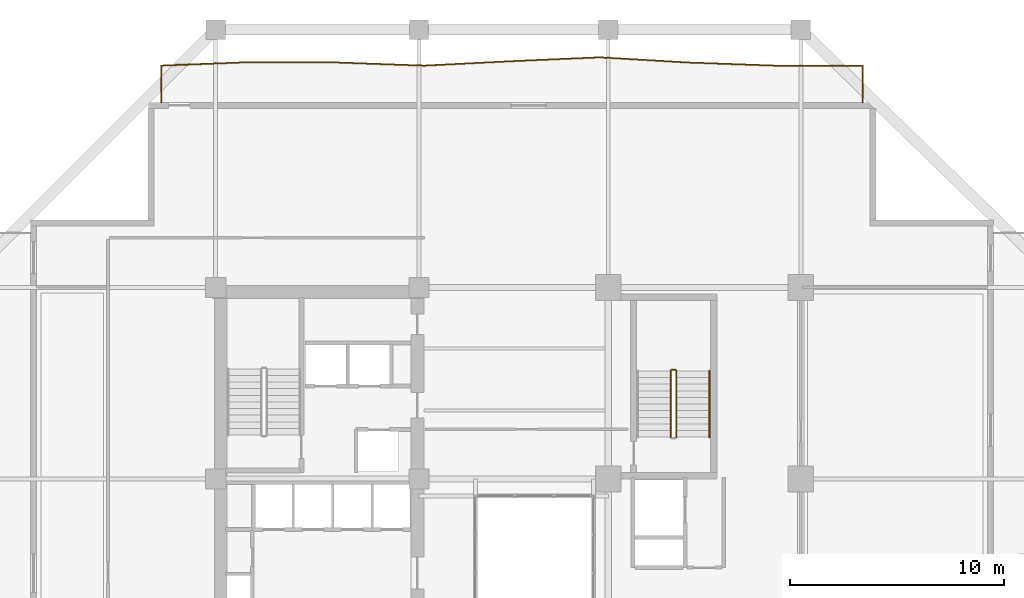
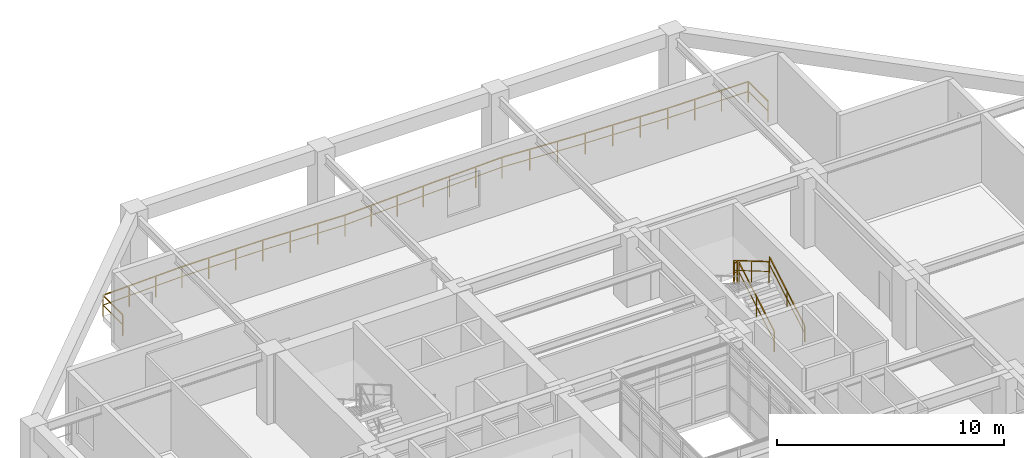
# One storey, part 15 of 17: 5 railings.
"""IFC4 building model written with IfcOpenShell, lengths in metres."""

from ifc_helpers import new_model, si_unit, direction, frame, origin, origin_2d, place, context, subcontext, project, spatial, rectangle, extrude, material, type_object, element, save


model = new_model("IFC4")

# Units and contexts
model_context = context("Model", 3, precision=1e-05, world=origin(), true_north=direction((0.0, 1.0)))
body_context = subcontext(model_context, "Body", "Model", "MODEL_VIEW")
ifc_project = project(units=[si_unit("LENGTHUNIT", "METRE"), si_unit("AREAUNIT", "SQUARE_METRE"), si_unit("VOLUMEUNIT", "CUBIC_METRE"), si_unit("PLANEANGLEUNIT", "RADIAN"), si_unit("MASSUNIT", "GRAM", prefix="KILO")], contexts=[model_context])

# Site, building, storey
site_placement = place(None, origin())
site = spatial("IfcSite", under=ifc_project, at=site_placement, CompositionType="ELEMENT")
building_placement = place(site_placement, origin())
building = spatial("IfcBuilding", under=site, at=building_placement, Name="Kundavana Baori Tower", CompositionType="ELEMENT")
storey_placement = place(building_placement, frame((0.0, 0.0, 30.0)))
storey = spatial("IfcBuildingStorey", under=building, at=storey_placement, Name="L06", CompositionType="ELEMENT", Elevation=30.0)

# Railings
ifc_material_1 = material(Name="Architectural Patinated Bronze Metalwork")
railing_type_1 = type_object("IfcRailingType", Name="RL-BAL-1150", PredefinedType="BALUSTRADE", material=ifc_material_1)
railing_1_placement = place(storey_placement, frame((12.89990234375, 50.60009765625, 0.0)))
element("IfcRailing", 1, at=railing_1_placement, inside=storey, type_object=railing_type_1, Name="L06 Loggia Balcony Balustrade N", PredefinedType="BALUSTRADE", context=body_context, shape_type="SweptSolid", body=[
    extrude(rectangle(XDim=0.048095703125, YDim=0.048095703125, at=origin_2d()), frame((0.0, 0.0, 1.1259765625), z_axis=(0.0, 1.0, 0.0), x_axis=(-1.0, 0.0, 0.0)), (0.0, 0.0, 1.0), 1.719970703125),
    extrude(rectangle(XDim=0.03125, YDim=0.03125, at=origin_2d()), frame((0.0, 0.0, 0.597900390625), z_axis=(0.0, 1.0, 0.0), x_axis=(-1.0, 0.0, 0.0)), (0.0, 0.0, 1.0), 1.719970703125),
    extrude(rectangle(XDim=0.048095703125, YDim=0.048095703125, at=origin_2d()), frame((0.0, 1.719970703125, 1.1259765625), z_axis=(0.999230991135, 0.03921002877, 0.0), x_axis=(-0.03921002877, 0.999230991135, 0.0)), (0.0, 0.0, 1.0), 4.103271484375),
    extrude(rectangle(XDim=0.03125, YDim=0.03125, at=origin_2d()), frame((0.0, 1.719970703125, 0.597900390625), z_axis=(0.999230991135, 0.03921002877, 0.0), x_axis=(-0.03921002877, 0.999230991135, 0.0)), (0.0, 0.0, 1.0), 4.103271484375),
    extrude(rectangle(XDim=0.048095703125, YDim=0.048095703125, at=origin_2d()), frame((4.10009765625, 1.880859375, 1.1259765625), z_axis=(0.999995020219, -0.003155873292, 0.0), x_axis=(0.003155873292, 0.999995020219, 0.0)), (0.0, 0.0, 1.0), 4.10009765625),
    extrude(rectangle(XDim=0.03125, YDim=0.03125, at=origin_2d()), frame((4.10009765625, 1.880859375, 0.597900390625), z_axis=(0.999995020219, -0.003155873292, 0.0), x_axis=(0.003155873292, 0.999995020219, 0.0)), (0.0, 0.0, 1.0), 4.10009765625),
    extrude(rectangle(XDim=0.048095703125, YDim=0.048095703125, at=origin_2d()), frame((8.2001953125, 1.867919921875, 1.1259765625), z_axis=(0.999349518776, -0.036062991031, 0.0), x_axis=(0.036062991031, 0.999349518776, 0.0)), (0.0, 0.0, 1.0), 4.1025390625),
    extrude(rectangle(XDim=0.03125, YDim=0.03125, at=origin_2d()), frame((8.2001953125, 1.867919921875, 0.597900390625), z_axis=(0.999349518776, -0.036062991031, 0.0), x_axis=(0.036062991031, 0.999349518776, 0.0)), (0.0, 0.0, 1.0), 4.1025390625),
    extrude(rectangle(XDim=0.048095703125, YDim=0.048095703125, at=origin_2d()), frame((12.300048828125, 1.719970703125, 1.1259765625), z_axis=(0.998691404315, 0.051141753466, 0.0), x_axis=(-0.051141753466, 0.998691404315, 0.0)), (0.0, 0.0, 1.0), 4.10546875),
    extrude(rectangle(XDim=0.03125, YDim=0.03125, at=origin_2d()), frame((12.300048828125, 1.719970703125, 0.597900390625), z_axis=(0.998691404315, 0.051141753466, 0.0), x_axis=(-0.051141753466, 0.998691404315, 0.0)), (0.0, 0.0, 1.0), 4.10546875),
    extrude(rectangle(XDim=0.048095703125, YDim=0.048095703125, at=origin_2d()), frame((16.400146484375, 1.929931640625, 1.1259765625), z_axis=(0.999059074604, 0.043370098576, 0.0), x_axis=(-0.043370098576, 0.999059074604, 0.0)), (0.0, 0.0, 1.0), 4.103759765625),
    extrude(rectangle(XDim=0.03125, YDim=0.03125, at=origin_2d()), frame((16.400146484375, 1.929931640625, 0.597900390625), z_axis=(0.999059074604, 0.043370098576, 0.0), x_axis=(-0.043370098576, 0.999059074604, 0.0)), (0.0, 0.0, 1.0), 4.103759765625),
    extrude(rectangle(XDim=0.048095703125, YDim=0.048095703125, at=origin_2d()), frame((20.5, 2.10791015625, 1.1259765625), z_axis=(0.99829134437, -0.058432796922, 0.0), x_axis=(0.058432796922, 0.99829134437, 0.0)), (0.0, 0.0, 1.0), 4.107177734375),
    extrude(rectangle(XDim=0.03125, YDim=0.03125, at=origin_2d()), frame((20.5, 2.10791015625, 0.597900390625), z_axis=(0.99829134437, -0.058432796922, 0.0), x_axis=(0.058432796922, 0.99829134437, 0.0)), (0.0, 0.0, 1.0), 4.107177734375),
    extrude(rectangle(XDim=0.048095703125, YDim=0.048095703125, at=origin_2d()), frame((24.60009765625, 1.867919921875, 1.1259765625), z_axis=(0.999349596164, -0.03606084645, 0.0), x_axis=(0.03606084645, 0.999349596164, 0.0)), (0.0, 0.0, 1.0), 4.102783203125),
    extrude(rectangle(XDim=0.03125, YDim=0.03125, at=origin_2d()), frame((24.60009765625, 1.867919921875, 0.597900390625), z_axis=(0.999349596164, -0.03606084645, 0.0), x_axis=(0.03606084645, 0.999349596164, 0.0)), (0.0, 0.0, 1.0), 4.102783203125),
    extrude(rectangle(XDim=0.048095703125, YDim=0.048095703125, at=origin_2d()), frame((28.7001953125, 1.719970703125, 1.1259765625), z_axis=(1.0, 0.0, 0.0), x_axis=(0.0, 1.0, 0.0)), (0.0, 0.0, 1.0), 4.099853515625),
    extrude(rectangle(XDim=0.03125, YDim=0.03125, at=origin_2d()), frame((28.7001953125, 1.719970703125, 0.597900390625), z_axis=(1.0, 0.0, 0.0), x_axis=(0.0, 1.0, 0.0)), (0.0, 0.0, 1.0), 4.099853515625),
    extrude(rectangle(XDim=0.048095703125, YDim=0.048095703125, at=origin_2d()), frame((32.800048828125, 1.719970703125, 1.1259765625), z_axis=(0.0, -1.0, 0.0), x_axis=(1.0, 0.0, 0.0)), (0.0, 0.0, 1.0), 1.719970703125),
    extrude(rectangle(XDim=0.03125, YDim=0.03125, at=origin_2d()), frame((32.800048828125, 1.719970703125, 0.597900390625), z_axis=(0.0, -1.0, 0.0), x_axis=(1.0, 0.0, 0.0)), (0.0, 0.0, 1.0), 1.719970703125),
    extrude(rectangle(XDim=0.0419921875, YDim=0.0419921875, at=origin_2d()), origin(), (0.0, 0.0, 1.0), 1.101806640625),
    extrude(rectangle(XDim=0.0419921875, YDim=0.0419921875, at=origin_2d()), frame((0.0, 1.719970703125, 0.0)), (0.0, 0.0, 1.0), 1.101806640625),
    extrude(rectangle(XDim=0.0419921875, YDim=0.0419921875, at=origin_2d()), frame((1.36669921875, 1.773681640625, 0.0)), (0.0, 0.0, 1.0), 1.101806640625),
    extrude(rectangle(XDim=0.0419921875, YDim=0.0419921875, at=origin_2d()), frame((2.7333984375, 1.8271484375, 0.0)), (0.0, 0.0, 1.0), 1.101806640625),
    extrude(rectangle(XDim=0.0419921875, YDim=0.0419921875, at=origin_2d()), frame((4.10009765625, 1.880859375, 0.0)), (0.0, 0.0, 1.0), 1.101806640625),
    extrude(rectangle(XDim=0.0419921875, YDim=0.0419921875, at=origin_2d()), frame((5.466796875, 1.87646484375, 0.0)), (0.0, 0.0, 1.0), 1.101806640625),
    extrude(rectangle(XDim=0.0419921875, YDim=0.0419921875, at=origin_2d()), frame((6.83349609375, 1.872314453125, 0.0)), (0.0, 0.0, 1.0), 1.101806640625),
    extrude(rectangle(XDim=0.0419921875, YDim=0.0419921875, at=origin_2d()), frame((8.2001953125, 1.867919921875, 0.0)), (0.0, 0.0, 1.0), 1.101806640625),
    extrude(rectangle(XDim=0.0419921875, YDim=0.0419921875, at=origin_2d()), frame((9.56689453125, 1.818603515625, 0.0)), (0.0, 0.0, 1.0), 1.101806640625),
    extrude(rectangle(XDim=0.0419921875, YDim=0.0419921875, at=origin_2d()), frame((10.933349609375, 1.769287109375, 0.0)), (0.0, 0.0, 1.0), 1.101806640625),
    extrude(rectangle(XDim=0.0419921875, YDim=0.0419921875, at=origin_2d()), frame((12.300048828125, 1.719970703125, 0.0)), (0.0, 0.0, 1.0), 1.101806640625),
    extrude(rectangle(XDim=0.0419921875, YDim=0.0419921875, at=origin_2d()), frame((13.666748046875, 1.7900390625, 0.0)), (0.0, 0.0, 1.0), 1.101806640625),
    extrude(rectangle(XDim=0.0419921875, YDim=0.0419921875, at=origin_2d()), frame((15.033447265625, 1.85986328125, 0.0)), (0.0, 0.0, 1.0), 1.101806640625),
    extrude(rectangle(XDim=0.0419921875, YDim=0.0419921875, at=origin_2d()), frame((16.400146484375, 1.929931640625, 0.0)), (0.0, 0.0, 1.0), 1.101806640625),
    extrude(rectangle(XDim=0.0419921875, YDim=0.0419921875, at=origin_2d()), frame((17.766845703125, 1.9892578125, 0.0)), (0.0, 0.0, 1.0), 1.101806640625),
    extrude(rectangle(XDim=0.0419921875, YDim=0.0419921875, at=origin_2d()), frame((19.13330078125, 2.048583984375, 0.0)), (0.0, 0.0, 1.0), 1.101806640625),
    extrude(rectangle(XDim=0.0419921875, YDim=0.0419921875, at=origin_2d()), frame((20.5, 2.10791015625, 0.0)), (0.0, 0.0, 1.0), 1.101806640625),
    extrude(rectangle(XDim=0.0419921875, YDim=0.0419921875, at=origin_2d()), frame((21.86669921875, 2.02783203125, 0.0)), (0.0, 0.0, 1.0), 1.101806640625),
    extrude(rectangle(XDim=0.0419921875, YDim=0.0419921875, at=origin_2d()), frame((23.2333984375, 1.947998046875, 0.0)), (0.0, 0.0, 1.0), 1.101806640625),
    extrude(rectangle(XDim=0.0419921875, YDim=0.0419921875, at=origin_2d()), frame((24.60009765625, 1.867919921875, 0.0)), (0.0, 0.0, 1.0), 1.101806640625),
    extrude(rectangle(XDim=0.0419921875, YDim=0.0419921875, at=origin_2d()), frame((25.966796875, 1.818603515625, 0.0)), (0.0, 0.0, 1.0), 1.101806640625),
    extrude(rectangle(XDim=0.0419921875, YDim=0.0419921875, at=origin_2d()), frame((27.33349609375, 1.769287109375, 0.0)), (0.0, 0.0, 1.0), 1.101806640625),
    extrude(rectangle(XDim=0.0419921875, YDim=0.0419921875, at=origin_2d()), frame((28.7001953125, 1.719970703125, 0.0)), (0.0, 0.0, 1.0), 1.101806640625),
    extrude(rectangle(XDim=0.0419921875, YDim=0.0419921875, at=origin_2d()), frame((30.06689453125, 1.719970703125, 0.0)), (0.0, 0.0, 1.0), 1.101806640625),
    extrude(rectangle(XDim=0.0419921875, YDim=0.0419921875, at=origin_2d()), frame((31.433349609375, 1.719970703125, 0.0)), (0.0, 0.0, 1.0), 1.101806640625),
    extrude(rectangle(XDim=0.0419921875, YDim=0.0419921875, at=origin_2d()), frame((32.800048828125, 1.719970703125, 0.0)), (0.0, 0.0, 1.0), 1.101806640625),
    extrude(rectangle(XDim=0.0419921875, YDim=0.0419921875, at=origin_2d()), frame((32.800048828125, 0.0, 0.0)), (0.0, 0.0, 1.0), 1.101806640625),
])
ifc_material_2 = material(Name="Architectural Patinated Bronze Metalwork")
railing_type_2 = type_object("IfcRailingType", Name="RL-GRD-1150", PredefinedType="GUARDRAIL", material=ifc_material_2)
railing_2_placement = place(storey_placement, frame((36.97998046875, 34.949951171875, 0.181884765625)))
element("IfcRailing", 2, at=railing_2_placement, inside=storey, type_object=railing_type_2, Name="L06 ST3 stair guard 1", PredefinedType="GUARDRAIL", context=body_context, shape_type="SweptSolid", body=[
    extrude(rectangle(XDim=0.048095703125, YDim=0.048095703125, at=origin_2d()), frame((0.0, 0.0, 1.1259765625), z_axis=(0.0, 0.862598821094, 0.505888598258), x_axis=(-1.0, 0.0, 0.0)), (0.0, 0.0, 1.0), 3.593994140625),
    extrude(rectangle(XDim=0.03125, YDim=0.03125, at=origin_2d()), frame((0.0, 0.0, 0.597900390625), z_axis=(0.0, 0.862598821094, 0.505888598258), x_axis=(-1.0, 0.0, 0.0)), (0.0, 0.0, 1.0), 3.593994140625),
    extrude(rectangle(XDim=0.0419921875, YDim=0.0419921875, at=origin_2d()), origin(), (0.0, 0.0, 1.0), 1.101806640625),
    extrude(rectangle(XDim=0.0419921875, YDim=0.0419921875, at=origin_2d()), frame((0.0, 1.550048828125, 0.9091796875)), (0.0, 0.0, 1.0), 1.101806640625),
    extrude(rectangle(XDim=0.0419921875, YDim=0.0419921875, at=origin_2d()), frame((0.0, 3.10009765625, 1.818115234375)), (0.0, 0.0, 1.0), 1.101806640625),
])
railing_3_placement = place(storey_placement, frame((36.929931640625, 38.10009765625, 2.0)))
element("IfcRailing", 3, at=railing_3_placement, inside=storey, type_object=railing_type_2, Name="L06 ST3 stair guard 2", PredefinedType="GUARDRAIL", context=body_context, shape_type="SweptSolid", body=[
    extrude(rectangle(XDim=0.048095703125, YDim=0.048095703125, at=origin_2d()), frame((0.0, 0.0, 1.1259765625), z_axis=(-1.0, 0.0, 0.0), x_axis=(0.0, -1.0, 0.0)), (0.0, 0.0, 1.0), 0.159912109375),
    extrude(rectangle(XDim=0.03125, YDim=0.03125, at=origin_2d()), frame((0.0, 0.0, 0.597900390625), z_axis=(-1.0, 0.0, 0.0), x_axis=(0.0, -1.0, 0.0)), (0.0, 0.0, 1.0), 0.159912109375),
    extrude(rectangle(XDim=0.0419921875, YDim=0.0419921875, at=origin_2d()), origin(), (0.0, 0.0, 1.0), 1.101806640625),
    extrude(rectangle(XDim=0.0419921875, YDim=0.0419921875, at=origin_2d()), frame((-0.159912109375, 0.0, 0.0)), (0.0, 0.0, 1.0), 1.101806640625),
])
railing_4_placement = place(storey_placement, frame((36.719970703125, 38.050048828125, 2.181884765625)))
element("IfcRailing", 4, at=railing_4_placement, inside=storey, type_object=railing_type_2, Name="L06 ST3 stair guard 3", PredefinedType="GUARDRAIL", context=body_context, shape_type="SweptSolid", body=[
    extrude(rectangle(XDim=0.048095703125, YDim=0.048095703125, at=origin_2d()), frame((0.0, 0.0, 1.1259765625), z_axis=(0.0, -0.862598821094, 0.505888598258), x_axis=(1.0, 0.0, 0.0)), (0.0, 0.0, 1.0), 3.593994140625),
    extrude(rectangle(XDim=0.03125, YDim=0.03125, at=origin_2d()), frame((0.0, 0.0, 0.597900390625), z_axis=(0.0, -0.862598821094, 0.505888598258), x_axis=(1.0, 0.0, 0.0)), (0.0, 0.0, 1.0), 3.593994140625),
    extrude(rectangle(XDim=0.0419921875, YDim=0.0419921875, at=origin_2d()), origin(), (0.0, 0.0, 1.0), 1.101806640625),
    extrude(rectangle(XDim=0.0419921875, YDim=0.0419921875, at=origin_2d()), frame((0.0, -1.550048828125, 0.9091796875)), (0.0, 0.0, 1.0), 1.101806640625),
    extrude(rectangle(XDim=0.0419921875, YDim=0.0419921875, at=origin_2d()), frame((0.0, -3.10009765625, 1.818115234375)), (0.0, 0.0, 1.0), 1.101806640625),
])
ifc_material_3 = material(Name="Architectural Patinated Bronze Metalwork")
railing_type_3 = type_object("IfcRailingType", Name="RL-HND-920", PredefinedType="HANDRAIL", material=ifc_material_3)
railing_5_placement = place(storey_placement, frame((38.530029296875, 34.949951171875, 0.181884765625)))
element("IfcRailing", 5, at=railing_5_placement, inside=storey, type_object=railing_type_3, Name="L06 ST3 stair handrail 1", PredefinedType="HANDRAIL", context=body_context, shape_type="SweptSolid", body=[
    extrude(rectangle(XDim=0.048095703125, YDim=0.048095703125, at=origin_2d()), frame((0.0, 0.0, 0.8759765625), z_axis=(0.0, 0.862598821094, 0.505888598258), x_axis=(-1.0, 0.0, 0.0)), (0.0, 0.0, 1.0), 3.593994140625),
    extrude(rectangle(XDim=0.03125, YDim=0.03125, at=origin_2d()), frame((0.0, 0.0, 0.468017578125), z_axis=(0.0, 0.862598821094, 0.505888598258), x_axis=(-1.0, 0.0, 0.0)), (0.0, 0.0, 1.0), 3.593994140625),
    extrude(rectangle(XDim=0.0419921875, YDim=0.0419921875, at=origin_2d()), origin(), (0.0, 0.0, 1.0), 0.851806640625),
    extrude(rectangle(XDim=0.0419921875, YDim=0.0419921875, at=origin_2d()), frame((0.0, 1.550048828125, 0.9091796875)), (0.0, 0.0, 1.0), 0.851806640625),
    extrude(rectangle(XDim=0.0419921875, YDim=0.0419921875, at=origin_2d()), frame((0.0, 3.10009765625, 1.818115234375)), (0.0, 0.0, 1.0), 0.851806640625),
])

save(model, "model.ifc")
